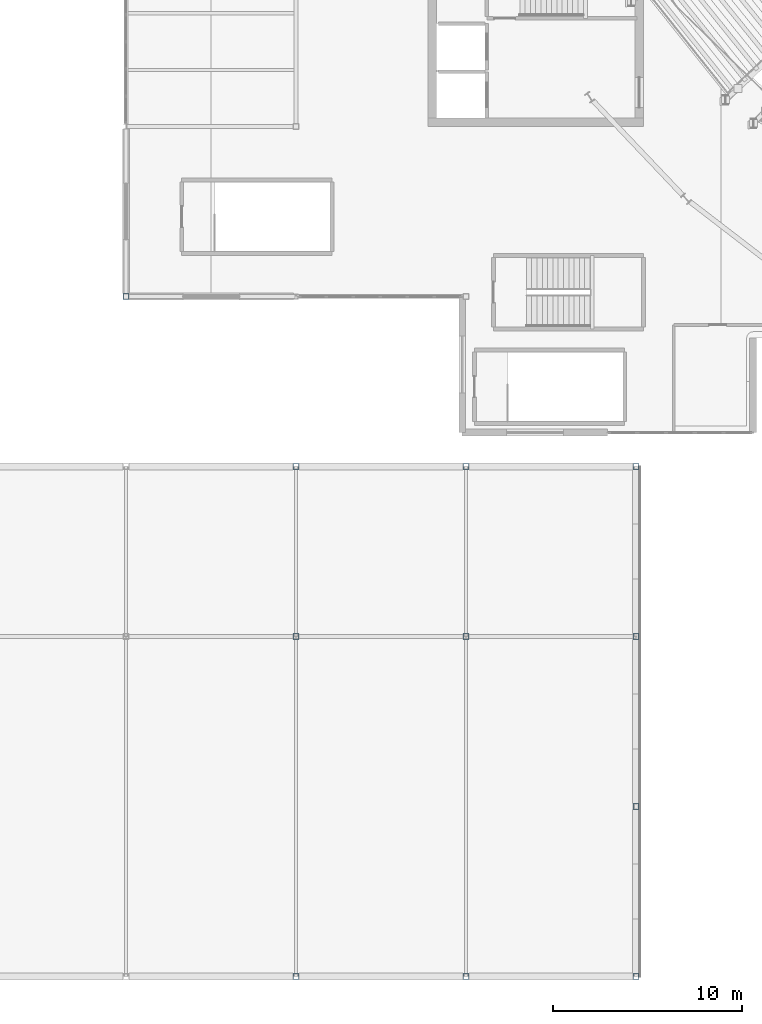
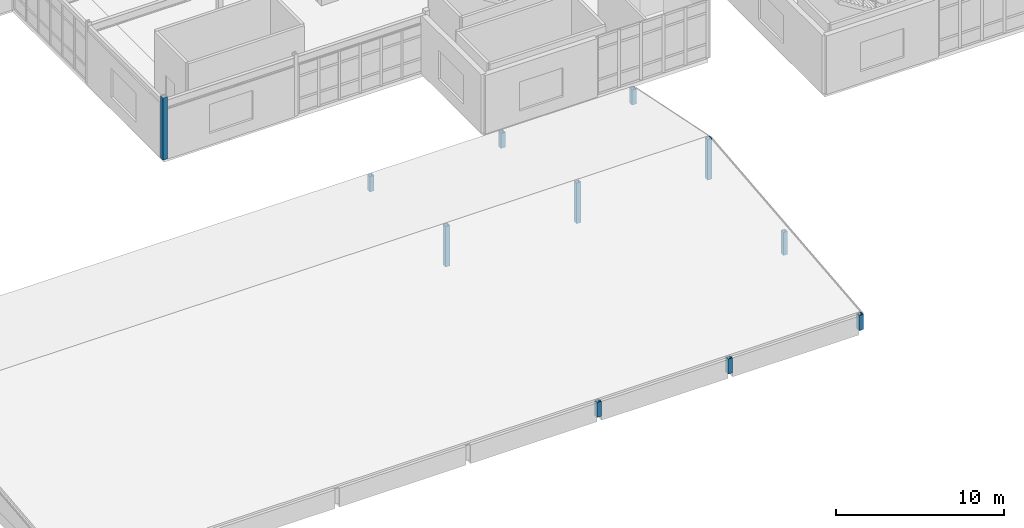
# One storey, part 2 of 81: 11 columns.
"""IFC4 building model written with IfcOpenShell, lengths in metres."""

from ifc_helpers import new_model, si_unit, direction, frame, origin, origin_2d, place, context, subcontext, project, spatial, hollow_rectangle, extrude, material, material_profile, profile_set, type_object, element, save


model = new_model("IFC4")

# Units and contexts
model_context = context("Model", 3, precision=1e-05, world=origin(), true_north=direction((0.0, 1.0)))
body_context = subcontext(model_context, "Body", "Model", "MODEL_VIEW")
ifc_project = project(units=[si_unit("LENGTHUNIT", "METRE"), si_unit("AREAUNIT", "SQUARE_METRE"), si_unit("VOLUMEUNIT", "CUBIC_METRE"), si_unit("PLANEANGLEUNIT", "RADIAN"), si_unit("MASSUNIT", "GRAM", prefix="KILO")], contexts=[model_context])

# Site, building, storey
site_placement = place(None, origin())
site = spatial("IfcSite", under=ifc_project, at=site_placement, CompositionType="ELEMENT")
building_placement = place(site_placement, origin())
building = spatial("IfcBuilding", under=site, at=building_placement, Name="Glasvene Arena", CompositionType="ELEMENT")
storey_placement = place(building_placement, frame((0.0, 0.0, 15.0)))
storey = spatial("IfcBuildingStorey", under=building, at=storey_placement, Name="L03", CompositionType="ELEMENT", Elevation=15.0)

# Columns
ifc_material = material(Name="Steel S355J2", Category="steel")
ifc_material_profile = material_profile(ifc_material, hollow_rectangle(XDim=0.300048828125, YDim=0.300048828125, WallThickness=0.012451171875, at=origin_2d()), Name="SHS 300x300x12.5")
ifc_profile_set = profile_set([ifc_material_profile], Name="Steel S355J2")
column_type = type_object("IfcColumnType", Name="COL-W-SHS300", PredefinedType="COLUMN", material=ifc_profile_set)
column_1_placement = place(storey_placement, frame((27.0, 36.0, 0.0), z_axis=(0.0, 0.0, 1.0), x_axis=(1.0, 0.0, 0.0)))
element("IfcColumn", 1, at=column_1_placement, inside=storey, type_object=column_type, Name="Grid column 4-5 L03", PredefinedType="COLUMN", context=body_context, shape_type="SweptSolid", body=[
    extrude(hollow_rectangle(XDim=0.300048828125, YDim=0.300048828125, WallThickness=0.012451171875, at=origin_2d()), origin(), (0.0, 0.0, 1.0), 4.5),
])
for number, where, z_axis, x_axis, name in (
    (2, (36.0, 0.0, 0.0), (0.0, 0.0, 1.0), (1.0, 0.0, 0.0), "Wing roof eave post V2-S-4"),
    (3, (36.0, 27.0, 0.0), (0.0, 0.0, 1.0), (1.0, 0.0, 0.0), "Wing roof eave post V2-N-4"),
):
    element("IfcColumn", number, at=place(storey_placement, frame(where, z_axis=z_axis, x_axis=x_axis)), inside=storey, type_object=column_type, Name=name, PredefinedType="COLUMN", context=body_context, shape_type="SweptSolid", body=[
        extrude(hollow_rectangle(XDim=0.300048828125, YDim=0.300048828125, WallThickness=0.012451171875, at=origin_2d()), origin(), (0.0, 0.0, 1.0), 1.090087890625),
    ])
column_2_placement = place(storey_placement, frame((36.0, 18.0, 0.0), z_axis=(0.0, 0.0, 1.0), x_axis=(1.0, 0.0, 0.0)))
element("IfcColumn", 4, at=column_2_placement, inside=storey, type_object=column_type, Name="Wing roof ridge post V2-4", PredefinedType="COLUMN", context=body_context, shape_type="SweptSolid", body=[
    extrude(hollow_rectangle(XDim=0.300048828125, YDim=0.300048828125, WallThickness=0.012451171875, at=origin_2d()), origin(), (0.0, 0.0, 1.0), 2.93994140625),
])
for number, where, z_axis, x_axis, name in (
    (5, (45.0, 0.0, 0.0), (0.0, 0.0, 1.0), (1.0, 0.0, 0.0), "Wing roof eave post V2-S-5"),
    (6, (45.0, 27.0, 0.0), (0.0, 0.0, 1.0), (1.0, 0.0, 0.0), "Wing roof eave post V2-N-5"),
):
    element("IfcColumn", number, at=place(storey_placement, frame(where, z_axis=z_axis, x_axis=x_axis)), inside=storey, type_object=column_type, Name=name, PredefinedType="COLUMN", context=body_context, shape_type="SweptSolid", body=[
        extrude(hollow_rectangle(XDim=0.300048828125, YDim=0.300048828125, WallThickness=0.012451171875, at=origin_2d()), origin(), (0.0, 0.0, 1.0), 1.090087890625),
    ])
column_3_placement = place(storey_placement, frame((45.0, 18.0, 0.0), z_axis=(0.0, 0.0, 1.0), x_axis=(1.0, 0.0, 0.0)))
element("IfcColumn", 7, at=column_3_placement, inside=storey, type_object=column_type, Name="Wing roof ridge post V2-5", PredefinedType="COLUMN", context=body_context, shape_type="SweptSolid", body=[
    extrude(hollow_rectangle(XDim=0.300048828125, YDim=0.300048828125, WallThickness=0.012451171875, at=origin_2d()), origin(), (0.0, 0.0, 1.0), 2.93994140625),
])
for number, where, z_axis, x_axis, name in (
    (8, (54.0, 0.0, 0.0), (0.0, 0.0, 1.0), (1.0, 0.0, 0.0), "Wing roof eave post V2-S-6"),
    (9, (54.0, 27.0, 0.0), (0.0, 0.0, 1.0), (1.0, 0.0, 0.0), "Wing roof eave post V2-N-6"),
):
    element("IfcColumn", number, at=place(storey_placement, frame(where, z_axis=z_axis, x_axis=x_axis)), inside=storey, type_object=column_type, Name=name, PredefinedType="COLUMN", context=body_context, shape_type="SweptSolid", body=[
        extrude(hollow_rectangle(XDim=0.300048828125, YDim=0.300048828125, WallThickness=0.012451171875, at=origin_2d()), origin(), (0.0, 0.0, 1.0), 1.090087890625),
    ])
column_4_placement = place(storey_placement, frame((54.0, 18.0, 0.0), z_axis=(0.0, 0.0, 1.0), x_axis=(1.0, 0.0, 0.0)))
element("IfcColumn", 10, at=column_4_placement, inside=storey, type_object=column_type, Name="Wing roof ridge post V2-6", PredefinedType="COLUMN", context=body_context, shape_type="SweptSolid", body=[
    extrude(hollow_rectangle(XDim=0.300048828125, YDim=0.300048828125, WallThickness=0.012451171875, at=origin_2d()), origin(), (0.0, 0.0, 1.0), 2.93994140625),
])
column_5_placement = place(storey_placement, frame((54.0, 9.0, 0.0), z_axis=(0.0, 0.0, 1.0), x_axis=(1.0, 0.0, 0.0)))
element("IfcColumn", 11, at=column_5_placement, inside=storey, type_object=column_type, Name="Wing roof gable post V2-GE-1", PredefinedType="COLUMN", context=body_context, shape_type="SweptSolid", body=[
    extrude(hollow_rectangle(XDim=0.300048828125, YDim=0.300048828125, WallThickness=0.012451171875, at=origin_2d()), origin(), (0.0, 0.0, 1.0), 1.663330078125),
])

save(model, "model.ifc")
